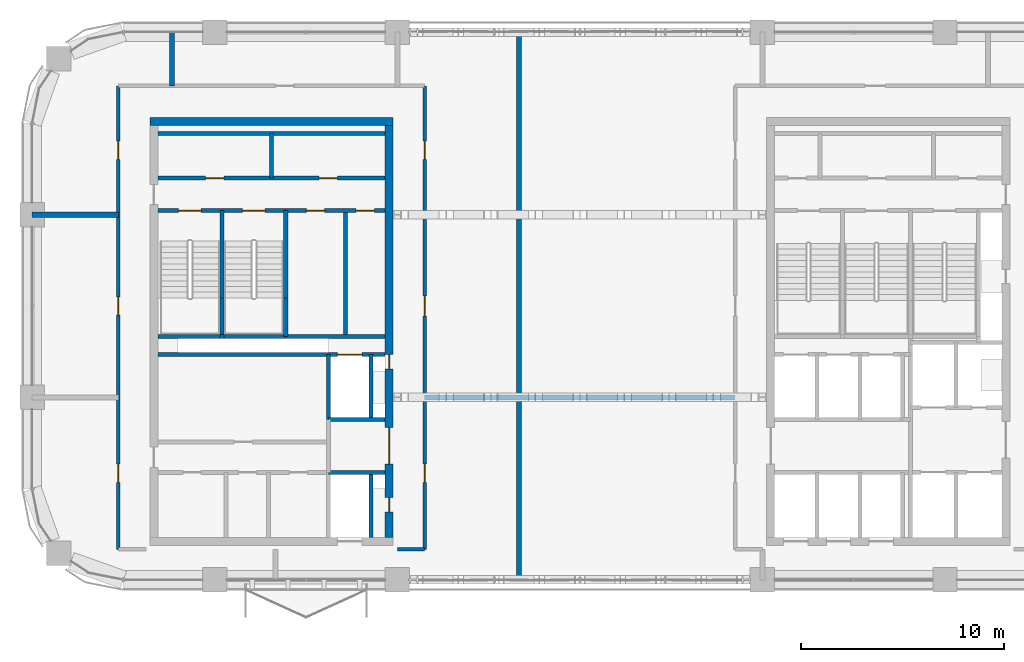
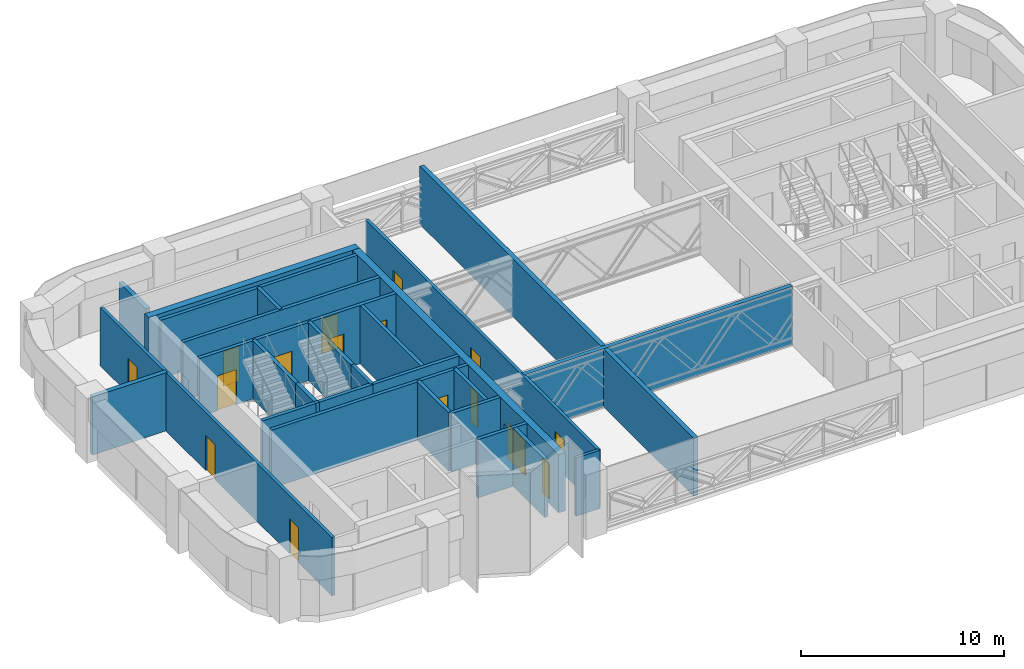
# One storey, part 9 of 14: 29 walls, 16 doors, 16 openings.
"""IFC4 building model written with IfcOpenShell, lengths in metres."""

from ifc_helpers import new_model, si_unit, direction, frame, frame_2d, origin, place, context, subcontext, project, spatial, rectangle, extrude, material, layer, layer_set, type_object, element, fill, save


model = new_model("IFC4")

# Units and contexts
model_context = context("Model", 3, precision=1e-05, world=origin(), true_north=direction((0.0, 1.0)))
body_context = subcontext(model_context, "Body", "Model", "MODEL_VIEW")
ifc_project = project(units=[si_unit("LENGTHUNIT", "METRE"), si_unit("AREAUNIT", "SQUARE_METRE"), si_unit("VOLUMEUNIT", "CUBIC_METRE"), si_unit("PLANEANGLEUNIT", "RADIAN"), si_unit("MASSUNIT", "GRAM", prefix="KILO")], contexts=[model_context])

# Site, building, storey
site_placement = place(None, origin())
site = spatial("IfcSite", under=ifc_project, at=site_placement, CompositionType="ELEMENT")
building_placement = place(site_placement, origin())
building = spatial("IfcBuilding", under=site, at=building_placement, Name="Tessera Arch", CompositionType="ELEMENT")
storey_placement = place(building_placement, frame((0.0, 0.0, 226.699951171875)))
storey = spatial("IfcBuildingStorey", under=building, at=storey_placement, Name="L54", CompositionType="ELEMENT", Elevation=226.699951171875)

# Walls
ifc_material_1 = material(Name="Gypsum board on steel stud", Category="steel")
ifc_layer_1 = layer(ifc_material_1, 0.125)
ifc_layer_set_1 = layer_set([ifc_layer_1], Name="Core partition 125 EI 60")
wall_type_1 = type_object("IfcWallType", Name="Core partition 125 EI 60", PredefinedType="PARTITIONING", material=ifc_layer_set_1)
wall_1_placement = place(storey_placement, frame((11.800048828125, 46.800048828125, 0.0), z_axis=(0.0, 0.0, 1.0), x_axis=(0.0, 1.0, 0.0)))
element("IfcWall", 1, at=wall_1_placement, inside=storey, type_object=wall_type_1, Name="L54 C2 partition wall 5", PredefinedType="PARTITIONING", context=body_context, shape_type="SweptSolid", body=[
    extrude(rectangle(XDim=2.199951171875, YDim=0.199951171875, at=frame_2d((1.10009765625, 0.0))), origin(), (0.0, 0.0, 1.0), 3.5),
])
wall_2_placement = place(storey_placement, frame((15.43994140625, 39.0, 0.0), z_axis=(0.0, 0.0, 1.0), x_axis=(0.0, 1.0, 0.0)))
element("IfcWall", 2, at=wall_2_placement, inside=storey, type_object=wall_type_1, Name="L54 C2 partition wall 11", PredefinedType="PARTITIONING", context=body_context, shape_type="SweptSolid", body=[
    extrude(rectangle(XDim=6.199951171875, YDim=0.199951171875, at=frame_2d((3.10009765625, 0.0))), origin(), (0.0, 0.0, 1.0), 3.5),
])

# Wall, openings, doors
wall_3_placement = place(storey_placement, frame((12.5, 45.199951171875, 0.0), z_axis=(0.0, 0.0, 1.0), x_axis=(1.0, 0.0, 0.0)))
wall_3 = element("IfcWall", 3, at=wall_3_placement, inside=storey, type_object=wall_type_1, Name="L54 C2 partition wall 23", PredefinedType="PARTITIONING", context=body_context, shape_type="SweptSolid", body=[
    extrude(rectangle(XDim=4.89990234375, YDim=0.199951171875, at=frame_2d((2.449951171875, 0.0))), origin(), (0.0, 0.0, 1.0), 3.5),
])
opening_1_placement = place(wall_3_placement, frame((1.02001953125, 0.0, 0.0)))
opening_1 = element("IfcOpeningElement", 4, at=opening_1_placement, cuts=wall_3, Name="Opening L54-C32", PredefinedType="OPENING", context=body_context, shape_type="SweptSolid", body=[
    extrude(rectangle(XDim=0.89990234375, YDim=2.10009765625, at=frame_2d((0.449951171875, 1.050048828125))), frame((0.0, 0.10986328125, 0.0), z_axis=(0.0, -1.0, 0.0), x_axis=(1.0, 0.0, 0.0)), (0.0, 0.0, 1.0), 0.219970703125),
])
opening_2_placement = place(wall_3_placement, frame((3.469970703125, 0.0, 0.0)))
opening_2 = element("IfcOpeningElement", 5, at=opening_2_placement, cuts=wall_3, Name="Opening L54-C33", PredefinedType="OPENING", context=body_context, shape_type="SweptSolid", body=[
    extrude(rectangle(XDim=0.89990234375, YDim=2.10009765625, at=frame_2d((0.449951171875, 1.050048828125))), frame((0.0, 0.10986328125, 0.0), z_axis=(0.0, -1.0, 0.0), x_axis=(1.0, 0.0, 0.0)), (0.0, 0.0, 1.0), 0.219970703125),
])
ifc_material_2 = material(Name="Steel door leaf", Category="steel")
door_type_1 = type_object("IfcDoorType", Name="Store door FD30S 900 x 2100", OperationType="SINGLE_SWING_LEFT", PredefinedType="DOOR", material=ifc_material_2)
door_1_placement = place(opening_1_placement, origin())
door_1 = element("IfcDoor", 6, at=door_1_placement, inside=storey, type_object=door_type_1, Name="L54 C2 door 12 C32 type D09", OperationType="SINGLE_SWING_LEFT", OverallHeight=2.10009765625, OverallWidth=0.89990234375, PredefinedType="DOOR", context=body_context, shape_type="SweptSolid", body=[
    extrude(rectangle(XDim=0.89990234375, YDim=2.10009765625, at=frame_2d((0.449951171875, 1.050048828125))), frame((0.0, 0.02490234375, 0.0), z_axis=(0.0, -1.0, 0.0), x_axis=(1.0, 0.0, 0.0)), (0.0, 0.0, 1.0), 0.050048828125),
])
fill(opening_1, door_1)
door_2_placement = place(opening_2_placement, origin())
door_2 = element("IfcDoor", 7, at=door_2_placement, inside=storey, type_object=door_type_1, Name="L54 C2 door 13 C33 type D09", OperationType="SINGLE_SWING_RIGHT", OverallHeight=2.10009765625, OverallWidth=0.89990234375, PredefinedType="DOOR", context=body_context, shape_type="SweptSolid", body=[
    extrude(rectangle(XDim=0.89990234375, YDim=2.10009765625, at=frame_2d((0.449951171875, 1.050048828125))), frame((0.0, 0.02490234375, 0.0), z_axis=(0.0, -1.0, 0.0), x_axis=(1.0, 0.0, 0.0)), (0.0, 0.0, 1.0), 0.050048828125),
])
fill(opening_2, door_2)

wall_4_placement = place(storey_placement, frame((6.199951171875, 46.800048828125, 0.0), z_axis=(0.0, 0.0, 1.0), x_axis=(1.0, 0.0, 0.0)))
wall_4 = element("IfcWall", 8, at=wall_4_placement, inside=storey, type_object=wall_type_1, Name="L54 C2 partition wall 25", PredefinedType="PARTITIONING", context=body_context, shape_type="SweptSolid", body=[
    extrude(rectangle(XDim=11.199951171875, YDim=0.199951171875, at=frame_2d((5.60009765625, 0.0))), origin(), (0.0, 0.0, 1.0), 3.5),
])
opening_3_placement = place(wall_4_placement, frame((2.35009765625, 0.0, 0.0)))
opening_3 = element("IfcOpeningElement", 9, at=opening_3_placement, cuts=wall_4, Name="Opening L54-C30", PredefinedType="OPENING", context=body_context, shape_type="SweptSolid", body=[
    extrude(rectangle(XDim=0.89990234375, YDim=2.10009765625, at=frame_2d((0.449951171875, 1.050048828125))), frame((0.0, 0.10986328125, 0.0), z_axis=(0.0, -1.0, 0.0), x_axis=(1.0, 0.0, 0.0)), (0.0, 0.0, 1.0), 0.219970703125),
])
opening_4_placement = place(wall_4_placement, frame((7.949951171875, 0.0, 0.0)))
opening_4 = element("IfcOpeningElement", 10, at=opening_4_placement, cuts=wall_4, Name="Opening L54-C31", PredefinedType="OPENING", context=body_context, shape_type="SweptSolid", body=[
    extrude(rectangle(XDim=0.89990234375, YDim=2.10009765625, at=frame_2d((0.449951171875, 1.050048828125))), frame((0.0, 0.10986328125, 0.0), z_axis=(0.0, -1.0, 0.0), x_axis=(1.0, 0.0, 0.0)), (0.0, 0.0, 1.0), 0.219970703125),
])
door_3_placement = place(opening_3_placement, origin())
door_3 = element("IfcDoor", 11, at=door_3_placement, inside=storey, type_object=door_type_1, Name="L54 C2 door 10 C30 type D09", OperationType="SINGLE_SWING_LEFT", OverallHeight=2.10009765625, OverallWidth=0.89990234375, PredefinedType="DOOR", context=body_context, shape_type="SweptSolid", body=[
    extrude(rectangle(XDim=0.89990234375, YDim=2.10009765625, at=frame_2d((0.449951171875, 1.050048828125))), frame((0.0, 0.02490234375, 0.0), z_axis=(0.0, -1.0, 0.0), x_axis=(1.0, 0.0, 0.0)), (0.0, 0.0, 1.0), 0.050048828125),
])
fill(opening_3, door_3)
door_4_placement = place(opening_4_placement, origin())
door_4 = element("IfcDoor", 12, at=door_4_placement, inside=storey, type_object=door_type_1, Name="L54 C2 door 11 C31 type D09", OperationType="SINGLE_SWING_RIGHT", OverallHeight=2.10009765625, OverallWidth=0.89990234375, PredefinedType="DOOR", context=body_context, shape_type="SweptSolid", body=[
    extrude(rectangle(XDim=0.89990234375, YDim=2.10009765625, at=frame_2d((0.449951171875, 1.050048828125))), frame((0.0, 0.02490234375, 0.0), z_axis=(0.0, -1.0, 0.0), x_axis=(1.0, 0.0, 0.0)), (0.0, 0.0, 1.0), 0.050048828125),
])
fill(opening_4, door_4)

# Walls
wall_5_placement = place(storey_placement, frame((6.199951171875, 49.0, 0.0), z_axis=(0.0, 0.0, 1.0), x_axis=(1.0, 0.0, 0.0)))
element("IfcWall", 13, at=wall_5_placement, inside=storey, type_object=wall_type_1, Name="L54 C2 partition wall 26", PredefinedType="PARTITIONING", context=body_context, shape_type="SweptSolid", body=[
    extrude(rectangle(XDim=11.199951171875, YDim=0.199951171875, at=frame_2d((5.60009765625, 0.0))), origin(), (0.0, 0.0, 1.0), 3.5),
])
ifc_material_3 = material(Name="Concrete C50/60", Category="concrete")
ifc_layer_2 = layer(ifc_material_3, 0.39990234375)
ifc_layer_set_2 = layer_set([ifc_layer_2], Name="Core shell wall 400 C50-60")
wall_type_2 = type_object("IfcWallType", Name="Core shell wall 400 C50-60", PredefinedType="SHEAR", material=ifc_layer_set_2)
wall_6_placement = place(storey_placement, frame((5.800048828125, 49.60009765625, 0.0), z_axis=(0.0, 0.0, 1.0), x_axis=(1.0, 0.0, 0.0)))
element("IfcWall", 14, at=wall_6_placement, inside=storey, type_object=wall_type_2, Name="L54 C2 core wall N", PredefinedType="SHEAR", context=body_context, shape_type="SweptSolid", body=[
    extrude(rectangle(XDim=12.0, YDim=0.39990234375, at=frame_2d((6.0, 0.0))), origin(), (0.0, 0.0, 1.0), 3.5),
])

# Wall, openings, doors
wall_7_placement = place(storey_placement, frame((17.60009765625, 29.10009765625, 0.0), z_axis=(0.0, 0.0, 1.0), x_axis=(0.0, 1.0, 0.0)))
wall_7 = element("IfcWall", 15, at=wall_7_placement, inside=storey, type_object=wall_type_2, Name="L54 C2 core wall E", PredefinedType="SHEAR", context=body_context, shape_type="SweptSolid", body=[
    extrude(rectangle(XDim=20.2998046875, YDim=0.39990234375, at=frame_2d((10.14990234375, 0.0))), origin(), (0.0, 0.0, 1.0), 3.5),
])
opening_5_placement = place(wall_7_placement, frame((1.25, 0.0, 0.0)))
opening_5 = element("IfcOpeningElement", 16, at=opening_5_placement, cuts=wall_7, Name="Opening L54-C23", PredefinedType="OPENING", context=body_context, shape_type="SweptSolid", body=[
    extrude(rectangle(XDim=0.699951171875, YDim=2.10009765625, at=frame_2d((0.35009765625, 1.050048828125))), frame((0.0, 0.2099609375, 0.0), z_axis=(0.0, -1.0, 0.0), x_axis=(1.0, 0.0, 0.0)), (0.0, 0.0, 1.0), 0.419921875),
])
opening_6_placement = place(wall_7_placement, frame((8.300048828125, 0.0, 0.0)))
opening_6 = element("IfcOpeningElement", 17, at=opening_6_placement, cuts=wall_7, Name="Opening L54-C24", PredefinedType="OPENING", context=body_context, shape_type="SweptSolid", body=[
    extrude(rectangle(XDim=0.699951171875, YDim=2.10009765625, at=frame_2d((0.35009765625, 1.050048828125))), frame((0.0, 0.2099609375, 0.0), z_axis=(0.0, -1.0, 0.0), x_axis=(1.0, 0.0, 0.0)), (0.0, 0.0, 1.0), 0.419921875),
])
opening_7_placement = place(wall_7_placement, frame((3.60009765625, 0.0, 0.0)))
opening_7 = element("IfcOpeningElement", 18, at=opening_7_placement, cuts=wall_7, Name="Opening L54-C27", PredefinedType="OPENING", context=body_context, shape_type="SweptSolid", body=[
    extrude(rectangle(XDim=1.800048828125, YDim=2.10009765625, at=frame_2d((0.89990234375, 1.050048828125))), frame((0.0, 0.2099609375, 0.0), z_axis=(0.0, -1.0, 0.0), x_axis=(1.0, 0.0, 0.0)), (0.0, 0.0, 1.0), 0.419921875),
])
ifc_material_4 = material(Name="Glazed steel door leaf", Category="steel")
door_type_2 = type_object("IfcDoorType", Name="Lobby double door FD30S 1800 x 2100", OperationType="DOUBLE_DOOR_SINGLE_SWING", PredefinedType="DOOR", material=ifc_material_4)
door_5_placement = place(opening_7_placement, origin())
door_5 = element("IfcDoor", 19, at=door_5_placement, inside=storey, type_object=door_type_2, Name="L54 C2 door 7 C27 type D06", OperationType="DOUBLE_DOOR_SINGLE_SWING", OverallHeight=2.10009765625, OverallWidth=1.800048828125, PredefinedType="DOOR", context=body_context, shape_type="SweptSolid", body=[
    extrude(rectangle(XDim=1.800048828125, YDim=2.10009765625, at=frame_2d((0.89990234375, 1.050048828125))), frame((0.0, 0.02490234375, 0.0), z_axis=(0.0, -1.0, 0.0), x_axis=(1.0, 0.0, 0.0)), (0.0, 0.0, 1.0), 0.050048828125),
])
fill(opening_7, door_5)
ifc_material_5 = material(Name="Steel door leaf", Category="steel")
door_type_3 = type_object("IfcDoorType", Name="Service shaft door FD60 700 x 2100", OperationType="SINGLE_SWING_LEFT", PredefinedType="DOOR", material=ifc_material_5)
door_6_placement = place(opening_5_placement, origin())
door_6 = element("IfcDoor", 20, at=door_6_placement, inside=storey, type_object=door_type_3, Name="L54 C2 door 3 C23 type D07", OperationType="SINGLE_SWING_LEFT", OverallHeight=2.10009765625, OverallWidth=0.699951171875, PredefinedType="DOOR", context=body_context, shape_type="SweptSolid", body=[
    extrude(rectangle(XDim=0.699951171875, YDim=2.10009765625, at=frame_2d((0.35009765625, 1.050048828125))), frame((0.0, 0.02490234375, 0.0), z_axis=(0.0, -1.0, 0.0), x_axis=(1.0, 0.0, 0.0)), (0.0, 0.0, 1.0), 0.050048828125),
])
fill(opening_5, door_6)
door_7_placement = place(opening_6_placement, origin())
door_7 = element("IfcDoor", 21, at=door_7_placement, inside=storey, type_object=door_type_3, Name="L54 C2 door 4 C24 type D07", OperationType="SINGLE_SWING_LEFT", OverallHeight=2.10009765625, OverallWidth=0.699951171875, PredefinedType="DOOR", context=body_context, shape_type="SweptSolid", body=[
    extrude(rectangle(XDim=0.699951171875, YDim=2.10009765625, at=frame_2d((0.35009765625, 1.050048828125))), frame((0.0, 0.02490234375, 0.0), z_axis=(0.0, -1.0, 0.0), x_axis=(1.0, 0.0, 0.0)), (0.0, 0.0, 1.0), 0.050048828125),
])
fill(opening_6, door_7)

# Wall
ifc_material_6 = material(Name="Gypsum board on deep steel stud with mineral wool", Category="steel")
ifc_layer_3 = layer(ifc_material_6, 0.175048828125)
ifc_layer_set_3 = layer_set([ifc_layer_3], Name="Corridor wall 175 EI 60")
wall_type_3 = type_object("IfcWallType", Name="Corridor wall 175 EI 60", PredefinedType="PARTITIONING", material=ifc_layer_set_3)
wall_8_placement = place(storey_placement, frame((18.0, 28.5, 0.0), z_axis=(0.0, 0.0, 1.0), x_axis=(1.0, 0.0, 0.0)))
element("IfcWall", 22, at=wall_8_placement, inside=storey, type_object=wall_type_3, Name="L54 partition 2", PredefinedType="PARTITIONING", context=body_context, shape_type="SweptSolid", body=[
    extrude(rectangle(XDim=1.35009765625, YDim=0.175048828125, at=frame_2d((0.675048828125, 0.0))), origin(), (0.0, 0.0, 1.0), 3.5),
])

# Wall, openings, doors
wall_9_placement = place(storey_placement, frame((4.25, 28.5, 0.0), z_axis=(0.0, 0.0, 1.0), x_axis=(0.0, 1.0, 0.0)))
wall_9 = element("IfcWall", 23, at=wall_9_placement, inside=storey, type_object=wall_type_3, Name="L54 partition 7", PredefinedType="PARTITIONING", context=body_context, shape_type="SweptSolid", body=[
    extrude(rectangle(XDim=22.85009765625, YDim=0.175048828125, at=frame_2d((11.425048828125, 0.0))), origin(), (0.0, 0.0, 1.0), 3.5),
])
opening_8_placement = place(wall_9_placement, frame((3.300048828125, 0.0, 0.0)))
opening_8 = element("IfcOpeningElement", 24, at=opening_8_placement, cuts=wall_9, Name="Opening L54-D003", PredefinedType="OPENING", context=body_context, shape_type="SweptSolid", body=[
    extrude(rectangle(XDim=0.89990234375, YDim=2.10009765625, at=frame_2d((0.449951171875, 1.050048828125))), frame((0.0, 0.097412109375, 0.0), z_axis=(0.0, -1.0, 0.0), x_axis=(1.0, 0.0, 0.0)), (0.0, 0.0, 1.0), 0.195068359375),
])
opening_9_placement = place(wall_9_placement, frame((11.550048828125, 0.0, 0.0)))
opening_9 = element("IfcOpeningElement", 25, at=opening_9_placement, cuts=wall_9, Name="Opening L54-D005", PredefinedType="OPENING", context=body_context, shape_type="SweptSolid", body=[
    extrude(rectangle(XDim=0.89990234375, YDim=2.10009765625, at=frame_2d((0.449951171875, 1.050048828125))), frame((0.0, 0.097412109375, 0.0), z_axis=(0.0, -1.0, 0.0), x_axis=(1.0, 0.0, 0.0)), (0.0, 0.0, 1.0), 0.195068359375),
])
opening_10_placement = place(wall_9_placement, frame((19.22509765625, 0.0, 0.0)))
opening_10 = element("IfcOpeningElement", 26, at=opening_10_placement, cuts=wall_9, Name="Opening L54-D009", PredefinedType="OPENING", context=body_context, shape_type="SweptSolid", body=[
    extrude(rectangle(XDim=0.89990234375, YDim=2.10009765625, at=frame_2d((0.449951171875, 1.050048828125))), frame((0.0, 0.097412109375, 0.0), z_axis=(0.0, -1.0, 0.0), x_axis=(1.0, 0.0, 0.0)), (0.0, 0.0, 1.0), 0.195068359375),
])
ifc_material_7 = material(Name="Timber door leaf", Category="wood")
door_type_4 = type_object("IfcDoorType", Name="Room door 900 x 2100", OperationType="SINGLE_SWING_LEFT", PredefinedType="DOOR", material=ifc_material_7)
door_8_placement = place(opening_8_placement, origin())
door_8 = element("IfcDoor", 27, at=door_8_placement, inside=storey, type_object=door_type_4, Name="L54 door D003 type D01", OperationType="SINGLE_SWING_LEFT", OverallHeight=2.10009765625, OverallWidth=0.89990234375, PredefinedType="DOOR", context=body_context, shape_type="SweptSolid", body=[
    extrude(rectangle(XDim=0.89990234375, YDim=2.10009765625, at=frame_2d((0.449951171875, 1.050048828125))), frame((0.0, 0.02490234375, 0.0), z_axis=(0.0, -1.0, 0.0), x_axis=(1.0, 0.0, 0.0)), (0.0, 0.0, 1.0), 0.050048828125),
])
fill(opening_8, door_8)
door_9_placement = place(opening_9_placement, origin())
door_9 = element("IfcDoor", 28, at=door_9_placement, inside=storey, type_object=door_type_4, Name="L54 door D005 type D01", OperationType="SINGLE_SWING_LEFT", OverallHeight=2.10009765625, OverallWidth=0.89990234375, PredefinedType="DOOR", context=body_context, shape_type="SweptSolid", body=[
    extrude(rectangle(XDim=0.89990234375, YDim=2.10009765625, at=frame_2d((0.449951171875, 1.050048828125))), frame((0.0, 0.02490234375, 0.0), z_axis=(0.0, -1.0, 0.0), x_axis=(1.0, 0.0, 0.0)), (0.0, 0.0, 1.0), 0.050048828125),
])
fill(opening_9, door_9)
door_10_placement = place(opening_10_placement, origin())
door_10 = element("IfcDoor", 29, at=door_10_placement, inside=storey, type_object=door_type_4, Name="L54 door D009 type D01", OperationType="SINGLE_SWING_LEFT", OverallHeight=2.10009765625, OverallWidth=0.89990234375, PredefinedType="DOOR", context=body_context, shape_type="SweptSolid", body=[
    extrude(rectangle(XDim=0.89990234375, YDim=2.10009765625, at=frame_2d((0.449951171875, 1.050048828125))), frame((0.0, 0.02490234375, 0.0), z_axis=(0.0, -1.0, 0.0), x_axis=(1.0, 0.0, 0.0)), (0.0, 0.0, 1.0), 0.050048828125),
])
fill(opening_10, door_10)

wall_10_placement = place(storey_placement, frame((19.35009765625, 28.5, 0.0), z_axis=(0.0, 0.0, 1.0), x_axis=(0.0, 1.0, 0.0)))
wall_10 = element("IfcWall", 30, at=wall_10_placement, inside=storey, type_object=wall_type_3, Name="L54 partition 8", PredefinedType="PARTITIONING", context=body_context, shape_type="SweptSolid", body=[
    extrude(rectangle(XDim=22.85009765625, YDim=0.175048828125, at=frame_2d((11.425048828125, 0.0))), origin(), (0.0, 0.0, 1.0), 3.5),
])
opening_11_placement = place(wall_10_placement, frame((3.300048828125, 0.0, 0.0)))
opening_11 = element("IfcOpeningElement", 31, at=opening_11_placement, cuts=wall_10, Name="Opening L54-D002", PredefinedType="OPENING", context=body_context, shape_type="SweptSolid", body=[
    extrude(rectangle(XDim=0.89990234375, YDim=2.10009765625, at=frame_2d((0.449951171875, 1.050048828125))), frame((0.0, 0.097412109375, 0.0), z_axis=(0.0, -1.0, 0.0), x_axis=(1.0, 0.0, 0.0)), (0.0, 0.0, 1.0), 0.195068359375),
])
opening_12_placement = place(wall_10_placement, frame((11.5, 0.0, 0.0)))
opening_12 = element("IfcOpeningElement", 32, at=opening_12_placement, cuts=wall_10, Name="Opening L54-D006", PredefinedType="OPENING", context=body_context, shape_type="SweptSolid", body=[
    extrude(rectangle(XDim=1.0, YDim=2.10009765625, at=frame_2d((0.5, 1.050048828125))), frame((0.0, 0.097412109375, 0.0), z_axis=(0.0, -1.0, 0.0), x_axis=(1.0, 0.0, 0.0)), (0.0, 0.0, 1.0), 0.195068359375),
])
opening_13_placement = place(wall_10_placement, frame((19.22509765625, 0.0, 0.0)))
opening_13 = element("IfcOpeningElement", 33, at=opening_13_placement, cuts=wall_10, Name="Opening L54-D012", PredefinedType="OPENING", context=body_context, shape_type="SweptSolid", body=[
    extrude(rectangle(XDim=0.89990234375, YDim=2.10009765625, at=frame_2d((0.449951171875, 1.050048828125))), frame((0.0, 0.097412109375, 0.0), z_axis=(0.0, -1.0, 0.0), x_axis=(1.0, 0.0, 0.0)), (0.0, 0.0, 1.0), 0.195068359375),
])
ifc_material_8 = material(Name="Fire-rated door leaf")
door_type_5 = type_object("IfcDoorType", Name="Entrance door FD30S 1000 x 2100", OperationType="SINGLE_SWING_LEFT", PredefinedType="DOOR", material=ifc_material_8)
door_11_placement = place(opening_12_placement, origin())
door_11 = element("IfcDoor", 34, at=door_11_placement, inside=storey, type_object=door_type_5, Name="L54 door D006 type D03", OperationType="SINGLE_SWING_LEFT", OverallHeight=2.10009765625, OverallWidth=1.0, PredefinedType="DOOR", context=body_context, shape_type="SweptSolid", body=[
    extrude(rectangle(XDim=1.0, YDim=2.10009765625, at=frame_2d((0.5, 1.050048828125))), frame((0.0, 0.02490234375, 0.0), z_axis=(0.0, -1.0, 0.0), x_axis=(1.0, 0.0, 0.0)), (0.0, 0.0, 1.0), 0.050048828125),
])
fill(opening_12, door_11)
door_12_placement = place(opening_11_placement, origin())
door_12 = element("IfcDoor", 35, at=door_12_placement, inside=storey, type_object=door_type_4, Name="L54 door D002 type D01", OperationType="SINGLE_SWING_LEFT", OverallHeight=2.10009765625, OverallWidth=0.89990234375, PredefinedType="DOOR", context=body_context, shape_type="SweptSolid", body=[
    extrude(rectangle(XDim=0.89990234375, YDim=2.10009765625, at=frame_2d((0.449951171875, 1.050048828125))), frame((0.0, 0.02490234375, 0.0), z_axis=(0.0, -1.0, 0.0), x_axis=(1.0, 0.0, 0.0)), (0.0, 0.0, 1.0), 0.050048828125),
])
fill(opening_11, door_12)
door_13_placement = place(opening_13_placement, origin())
door_13 = element("IfcDoor", 36, at=door_13_placement, inside=storey, type_object=door_type_4, Name="L54 door D012 type D01", OperationType="SINGLE_SWING_LEFT", OverallHeight=2.10009765625, OverallWidth=0.89990234375, PredefinedType="DOOR", context=body_context, shape_type="SweptSolid", body=[
    extrude(rectangle(XDim=0.89990234375, YDim=2.10009765625, at=frame_2d((0.449951171875, 1.050048828125))), frame((0.0, 0.02490234375, 0.0), z_axis=(0.0, -1.0, 0.0), x_axis=(1.0, 0.0, 0.0)), (0.0, 0.0, 1.0), 0.050048828125),
])
fill(opening_13, door_13)

# Walls
ifc_material_9 = material(Name="Double gypsum board on twin steel stud with acoustic mineral wool", Category="steel")
ifc_layer_4 = layer(ifc_material_9, 0.25)
ifc_layer_set_4 = layer_set([ifc_layer_4], Name="Party wall 250 EI 60")
wall_type_4 = type_object("IfcWallType", Name="Party wall 250 EI 60", PredefinedType="PARTITIONING", material=ifc_layer_set_4)
wall_11_placement = place(storey_placement, frame((19.35009765625, 36.0, 0.0), z_axis=(0.0, 0.0, 1.0), x_axis=(1.0, 0.0, 0.0)))
element("IfcWall", 37, at=wall_11_placement, inside=storey, type_object=wall_type_4, Name="L54 partition 12", PredefinedType="PARTITIONING", context=body_context, shape_type="SweptSolid", body=[
    extrude(rectangle(XDim=15.2998046875, YDim=0.25, at=frame_2d((7.64990234375, 0.0))), origin(), (0.0, 0.0, 1.0), 3.5),
])
wall_12_placement = place(storey_placement, frame((0.0, 45.0, 0.0), z_axis=(0.0, 0.0, 1.0), x_axis=(1.0, 0.0, 0.0)))
element("IfcWall", 38, at=wall_12_placement, inside=storey, type_object=wall_type_4, Name="L54 partition 14", PredefinedType="PARTITIONING", context=body_context, shape_type="SweptSolid", body=[
    extrude(rectangle(XDim=4.25, YDim=0.25, at=frame_2d((2.125, 0.0))), origin(), (0.0, 0.0, 1.0), 3.5),
])
wall_13_placement = place(storey_placement, frame((6.885986328125, 51.35009765625, 0.0), z_axis=(0.0, 0.0, 1.0), x_axis=(0.0, 1.0, 0.0)))
element("IfcWall", 39, at=wall_13_placement, inside=storey, type_object=wall_type_4, Name="L54 partition 17", PredefinedType="PARTITIONING", context=body_context, shape_type="SweptSolid", body=[
    extrude(rectangle(XDim=2.64990234375, YDim=0.25, at=frame_2d((1.324951171875, 0.0))), origin(), (0.0, 0.0, 1.0), 2.5),
])
wall_14_placement = place(storey_placement, frame((24.0, 27.0, 0.0), z_axis=(0.0, 0.0, 1.0), x_axis=(0.0, 1.0, 0.0)))
element("IfcWall", 40, at=wall_14_placement, inside=storey, type_object=wall_type_4, Name="L54 partition 20", PredefinedType="PARTITIONING", context=body_context, shape_type="SweptSolid", body=[
    extrude(rectangle(XDim=27.0, YDim=0.25, at=frame_2d((13.5, 0.0))), origin(), (0.0, 0.0, 1.0), 3.5),
])
ifc_material_10 = material(Name="Concrete C40/50", Category="concrete")
ifc_layer_5 = layer(ifc_material_10, 0.199951171875)
ifc_layer_set_5 = layer_set([ifc_layer_5], Name="Shaft wall 200 EI 120")
wall_type_5 = type_object("IfcWallType", Name="Shaft wall 200 EI 120", PredefinedType="SOLIDWALL", material=ifc_layer_set_5)
wall_15_placement = place(storey_placement, frame((14.60009765625, 34.89990234375, 0.0), z_axis=(0.0, 0.0, 1.0), x_axis=(0.0, 1.0, 0.0)))
element("IfcWall", 41, at=wall_15_placement, inside=storey, type_object=wall_type_5, Name="L54 C2 shaft wall 10", PredefinedType="SOLIDWALL", context=body_context, shape_type="SweptSolid", body=[
    extrude(rectangle(XDim=3.2001953125, YDim=0.199951171875, at=frame_2d((1.60009765625, 0.0))), origin(), (0.0, 0.0, 1.0), 3.5),
])
wall_16_placement = place(storey_placement, frame((16.699951171875, 29.10009765625, 0.0), z_axis=(0.0, 0.0, 1.0), x_axis=(0.0, 1.0, 0.0)))
element("IfcWall", 42, at=wall_16_placement, inside=storey, type_object=wall_type_5, Name="L54 C2 shaft wall 12", PredefinedType="SOLIDWALL", context=body_context, shape_type="SweptSolid", body=[
    extrude(rectangle(XDim=3.199951171875, YDim=0.199951171875, at=frame_2d((1.60009765625, 0.0))), origin(), (0.0, 0.0, 1.0), 3.5),
])
wall_17_placement = place(storey_placement, frame((16.699951171875, 34.89990234375, 0.0), z_axis=(0.0, 0.0, 1.0), x_axis=(0.0, 1.0, 0.0)))
element("IfcWall", 43, at=wall_17_placement, inside=storey, type_object=wall_type_5, Name="L54 C2 shaft wall 13", PredefinedType="SOLIDWALL", context=body_context, shape_type="SweptSolid", body=[
    extrude(rectangle(XDim=3.2001953125, YDim=0.199951171875, at=frame_2d((1.60009765625, 0.0))), origin(), (0.0, 0.0, 1.0), 3.5),
])
for number, where, z_axis, x_axis, name in (
    (44, (14.60009765625, 32.300048828125, 0.0), (0.0, 0.0, 1.0), (1.0, 0.0, 0.0), "L54 C2 shaft wall 15"),
    (45, (14.60009765625, 34.89990234375, 0.0), (0.0, 0.0, 1.0), (1.0, 0.0, 0.0), "L54 C2 shaft wall 17"),
):
    element("IfcWall", number, at=place(storey_placement, frame(where, z_axis=z_axis, x_axis=x_axis)), inside=storey, type_object=wall_type_5, Name=name, PredefinedType="SOLIDWALL", context=body_context, shape_type="SweptSolid", body=[
        extrude(rectangle(XDim=2.7998046875, YDim=0.199951171875, at=frame_2d((1.39990234375, 0.0))), origin(), (0.0, 0.0, 1.0), 3.5),
    ])

# Wall, opening, door
wall_18_placement = place(storey_placement, frame((6.199951171875, 38.10009765625, 0.0), z_axis=(0.0, 0.0, 1.0), x_axis=(1.0, 0.0, 0.0)))
wall_18 = element("IfcWall", 46, at=wall_18_placement, inside=storey, type_object=wall_type_5, Name="L54 C2 shaft wall 18", PredefinedType="SOLIDWALL", context=body_context, shape_type="SweptSolid", body=[
    extrude(rectangle(XDim=11.199951171875, YDim=0.199951171875, at=frame_2d((5.60009765625, 0.0))), origin(), (0.0, 0.0, 1.0), 3.5),
])
opening_14_placement = place(wall_18_placement, frame((8.85009765625, 0.0, 0.0)))
opening_14 = element("IfcOpeningElement", 47, at=opening_14_placement, cuts=wall_18, Name="Opening L54-C22", PredefinedType="OPENING", context=body_context, shape_type="SweptSolid", body=[
    extrude(rectangle(XDim=1.199951171875, YDim=2.10009765625, at=frame_2d((0.60009765625, 1.050048828125))), frame((0.0, 0.10986328125, 0.0), z_axis=(0.0, -1.0, 0.0), x_axis=(1.0, 0.0, 0.0)), (0.0, 0.0, 1.0), 0.219970703125),
])
ifc_material_11 = material(Name="Stainless steel AISI 304", Category="steel")
door_type_6 = type_object("IfcDoorType", Name="Sliding landing door 1200 x 2100", OperationType="SLIDING_TO_LEFT", PredefinedType="DOOR", material=ifc_material_11)
door_14_placement = place(opening_14_placement, origin())
door_14 = element("IfcDoor", 48, at=door_14_placement, inside=storey, type_object=door_type_6, Name="L54 HR8 lift landing door C22 type LD", OperationType="SLIDING_TO_LEFT", OverallHeight=2.10009765625, OverallWidth=1.199951171875, PredefinedType="DOOR", context=body_context, shape_type="SweptSolid", body=[
    extrude(rectangle(XDim=1.199951171875, YDim=2.10009765625, at=frame_2d((0.60009765625, 1.050048828125))), frame((0.0, 0.02490234375, 0.0), z_axis=(0.0, -1.0, 0.0), x_axis=(1.0, 0.0, 0.0)), (0.0, 0.0, 1.0), 0.050048828125),
])
fill(opening_14, door_14)

# Walls
wall_19_placement = place(storey_placement, frame((12.5, 39.0, 0.0), z_axis=(0.0, 0.0, 1.0), x_axis=(1.0, 0.0, 0.0)))
element("IfcWall", 49, at=wall_19_placement, inside=storey, type_object=wall_type_5, Name="L54 C2 shaft wall 19", PredefinedType="SOLIDWALL", context=body_context, shape_type="SweptSolid", body=[
    extrude(rectangle(XDim=4.89990234375, YDim=0.199951171875, at=frame_2d((2.449951171875, 0.0))), origin(), (0.0, 0.0, 1.0), 3.5),
])
ifc_material_12 = material(Name="Concrete C40/50", Category="concrete")
ifc_layer_6 = layer(ifc_material_12, 0.199951171875)
ifc_layer_set_6 = layer_set([ifc_layer_6], Name="Stair well wall 200 REI 180")
wall_type_6 = type_object("IfcWallType", Name="Stair well wall 200 REI 180", PredefinedType="SOLIDWALL", material=ifc_layer_set_6)
wall_20_placement = place(storey_placement, frame((9.35009765625, 39.0, 0.0), z_axis=(0.0, 0.0, 1.0), x_axis=(0.0, 1.0, 0.0)))
element("IfcWall", 50, at=wall_20_placement, inside=storey, type_object=wall_type_6, Name="L54 C2 shaft wall 1", PredefinedType="SOLIDWALL", context=body_context, shape_type="SweptSolid", body=[
    extrude(rectangle(XDim=1.89990234375, YDim=0.199951171875, at=frame_2d((0.949951171875, 0.0))), origin(), (0.0, 0.0, 1.0), 3.5),
])
wall_21_placement = place(storey_placement, frame((9.35009765625, 40.89990234375, 0.0), z_axis=(0.0, 0.0, 1.0), x_axis=(0.0, 1.0, 0.0)))
element("IfcWall", 51, at=wall_21_placement, inside=storey, type_object=wall_type_6, Name="L54 C2 shaft wall 2", PredefinedType="SOLIDWALL", context=body_context, shape_type="SweptSolid", body=[
    extrude(rectangle(XDim=4.300048828125, YDim=0.199951171875, at=frame_2d((2.14990234375, 0.0))), origin(), (0.0, 0.0, 1.0), 3.5),
])
wall_22_placement = place(storey_placement, frame((12.5, 39.0, 0.0), z_axis=(0.0, 0.0, 1.0), x_axis=(0.0, 1.0, 0.0)))
element("IfcWall", 52, at=wall_22_placement, inside=storey, type_object=wall_type_6, Name="L54 C2 shaft wall 6", PredefinedType="SOLIDWALL", context=body_context, shape_type="SweptSolid", body=[
    extrude(rectangle(XDim=1.89990234375, YDim=0.199951171875, at=frame_2d((0.949951171875, 0.0))), origin(), (0.0, 0.0, 1.0), 3.5),
])
wall_23_placement = place(storey_placement, frame((12.5, 40.89990234375, 0.0), z_axis=(0.0, 0.0, 1.0), x_axis=(0.0, 1.0, 0.0)))
element("IfcWall", 53, at=wall_23_placement, inside=storey, type_object=wall_type_6, Name="L54 C2 shaft wall 7", PredefinedType="SOLIDWALL", context=body_context, shape_type="SweptSolid", body=[
    extrude(rectangle(XDim=4.300048828125, YDim=0.199951171875, at=frame_2d((2.14990234375, 0.0))), origin(), (0.0, 0.0, 1.0), 3.5),
])
wall_24_placement = place(storey_placement, frame((6.199951171875, 39.0, 0.0), z_axis=(0.0, 0.0, 1.0), x_axis=(1.0, 0.0, 0.0)))
element("IfcWall", 54, at=wall_24_placement, inside=storey, type_object=wall_type_6, Name="L54 C2 shaft wall 20", PredefinedType="SOLIDWALL", context=body_context, shape_type="SweptSolid", body=[
    extrude(rectangle(XDim=3.050048828125, YDim=0.199951171875, at=frame_2d((1.52490234375, 0.0))), origin(), (0.0, 0.0, 1.0), 3.5),
])
wall_25_placement = place(storey_placement, frame((9.25, 39.0, 0.0), z_axis=(0.0, 0.0, 1.0), x_axis=(1.0, 0.0, 0.0)))
element("IfcWall", 55, at=wall_25_placement, inside=storey, type_object=wall_type_6, Name="L54 C2 shaft wall 21", PredefinedType="SOLIDWALL", context=body_context, shape_type="SweptSolid", body=[
    extrude(rectangle(XDim=0.199951171875, YDim=0.199951171875, at=frame_2d((0.10009765625, 0.0))), origin(), (0.0, 0.0, 1.0), 3.5),
])
wall_26_placement = place(storey_placement, frame((9.449951171875, 39.0, 0.0), z_axis=(0.0, 0.0, 1.0), x_axis=(1.0, 0.0, 0.0)))
element("IfcWall", 56, at=wall_26_placement, inside=storey, type_object=wall_type_6, Name="L54 C2 shaft wall 22", PredefinedType="SOLIDWALL", context=body_context, shape_type="SweptSolid", body=[
    extrude(rectangle(XDim=3.050048828125, YDim=0.199951171875, at=frame_2d((1.52490234375, 0.0))), origin(), (0.0, 0.0, 1.0), 3.5),
])

# Wall, openings, doors
wall_27_placement = place(storey_placement, frame((6.199951171875, 45.199951171875, 0.0), z_axis=(0.0, 0.0, 1.0), x_axis=(1.0, 0.0, 0.0)))
wall_27 = element("IfcWall", 57, at=wall_27_placement, inside=storey, type_object=wall_type_6, Name="L54 C2 shaft wall 24", PredefinedType="SOLIDWALL", context=body_context, shape_type="SweptSolid", body=[
    extrude(rectangle(XDim=6.300048828125, YDim=0.199951171875, at=frame_2d((3.14990234375, 0.0))), origin(), (0.0, 0.0, 1.0), 3.5),
])
opening_15_placement = place(wall_27_placement, frame((1.02490234375, 0.0, 0.0)))
opening_15 = element("IfcOpeningElement", 58, at=opening_15_placement, cuts=wall_27, Name="Opening L54-C25", PredefinedType="OPENING", context=body_context, shape_type="SweptSolid", body=[
    extrude(rectangle(XDim=1.10009765625, YDim=2.10009765625, at=frame_2d((0.550048828125, 1.050048828125))), frame((0.0, 0.10986328125, 0.0), z_axis=(0.0, -1.0, 0.0), x_axis=(1.0, 0.0, 0.0)), (0.0, 0.0, 1.0), 0.219970703125),
])
opening_16_placement = place(wall_27_placement, frame((4.175048828125, 0.0, 0.0)))
opening_16 = element("IfcOpeningElement", 59, at=opening_16_placement, cuts=wall_27, Name="Opening L54-C26", PredefinedType="OPENING", context=body_context, shape_type="SweptSolid", body=[
    extrude(rectangle(XDim=1.10009765625, YDim=2.10009765625, at=frame_2d((0.550048828125, 1.050048828125))), frame((0.0, 0.10986328125, 0.0), z_axis=(0.0, -1.0, 0.0), x_axis=(1.0, 0.0, 0.0)), (0.0, 0.0, 1.0), 0.219970703125),
])
ifc_material_13 = material(Name="Steel door leaf", Category="steel")
door_type_7 = type_object("IfcDoorType", Name="Stair door FD60 1100 x 2100", OperationType="SINGLE_SWING_LEFT", PredefinedType="DOOR", material=ifc_material_13)
door_15_placement = place(opening_15_placement, origin())
door_15 = element("IfcDoor", 60, at=door_15_placement, inside=storey, type_object=door_type_7, Name="L54 C2 door 5 C25 type D05", OperationType="SINGLE_SWING_LEFT", OverallHeight=2.10009765625, OverallWidth=1.10009765625, PredefinedType="DOOR", context=body_context, shape_type="SweptSolid", body=[
    extrude(rectangle(XDim=1.10009765625, YDim=2.10009765625, at=frame_2d((0.550048828125, 1.050048828125))), frame((0.0, 0.02490234375, 0.0), z_axis=(0.0, -1.0, 0.0), x_axis=(1.0, 0.0, 0.0)), (0.0, 0.0, 1.0), 0.050048828125),
])
fill(opening_15, door_15)
door_16_placement = place(opening_16_placement, origin())
door_16 = element("IfcDoor", 61, at=door_16_placement, inside=storey, type_object=door_type_7, Name="L54 C2 door 6 C26 type D05", OperationType="SINGLE_SWING_RIGHT", OverallHeight=2.10009765625, OverallWidth=1.10009765625, PredefinedType="DOOR", context=body_context, shape_type="SweptSolid", body=[
    extrude(rectangle(XDim=1.10009765625, YDim=2.10009765625, at=frame_2d((0.550048828125, 1.050048828125))), frame((0.0, 0.02490234375, 0.0), z_axis=(0.0, -1.0, 0.0), x_axis=(1.0, 0.0, 0.0)), (0.0, 0.0, 1.0), 0.050048828125),
])
fill(opening_16, door_16)

save(model, "model.ifc")
